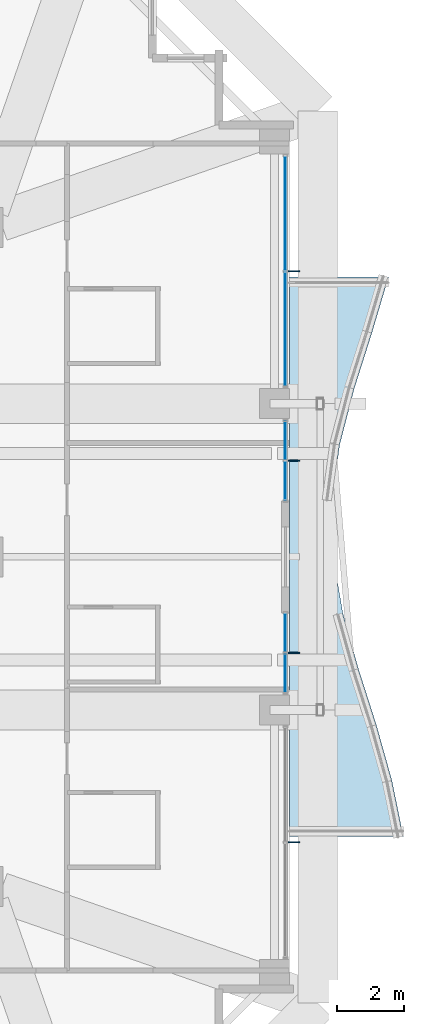
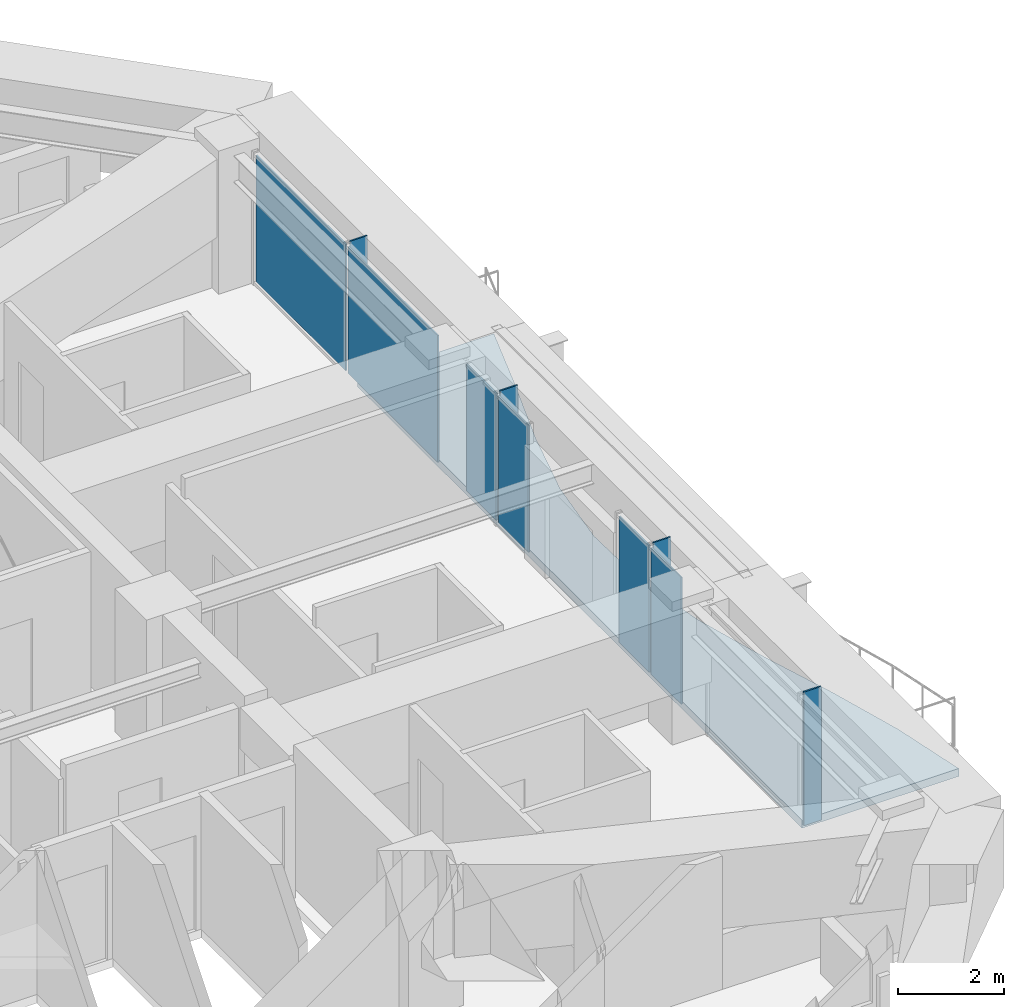
# One storey, part 32 of 40: 10 plates, 1 slab, 3 elements without a shape of their own.
"""IFC4 building model written with IfcOpenShell, lengths in metres."""

from ifc_helpers import new_model, si_unit, direction, frame, origin, origin_2d, place, context, subcontext, project, spatial, polyline, rectangle, outline, extrude, material, layer, layer_set, type_object, element, aggregate, save


model = new_model("IFC4")

# Units and contexts
model_context = context("Model", 3, precision=1e-05, world=origin(), true_north=direction((0.0, 1.0)))
body_context = subcontext(model_context, "Body", "Model", "MODEL_VIEW")
ifc_project = project(units=[si_unit("LENGTHUNIT", "METRE"), si_unit("AREAUNIT", "SQUARE_METRE"), si_unit("VOLUMEUNIT", "CUBIC_METRE"), si_unit("PLANEANGLEUNIT", "RADIAN"), si_unit("MASSUNIT", "GRAM", prefix="KILO")], contexts=[model_context])

# Site, building, storey
site_placement = place(None, origin())
site = spatial("IfcSite", under=ifc_project, at=site_placement, CompositionType="ELEMENT")
building_placement = place(site_placement, origin())
building = spatial("IfcBuilding", under=site, at=building_placement, Name="Kolvaren Belvedere", CompositionType="ELEMENT")
storey_placement = place(building_placement, frame((0.0, 0.0, 170.10009765625)))
storey = spatial("IfcBuildingStorey", under=building, at=storey_placement, Name="L49", CompositionType="ELEMENT", Elevation=170.10009765625)

# Curtain wall, plates
ifc_material_1 = material(Name="Anodised pale-metal aluminium AA 6063-T6", Category="aluminium")
curtain_wall_type = type_object("IfcCurtainWallType", Name="CW-Z3-WAIST", PredefinedType="NOTDEFINED", material=ifc_material_1)
curtain_wall_1_placement = place(storey_placement, origin())
curtain_wall_1 = element("IfcCurtainWall", 1, at=curtain_wall_1_placement, inside=storey, type_object=curtain_wall_type, Name="L49 Unitised Curtain Wall FCW-L49-E1-B1", PredefinedType="NOTDEFINED")
ifc_material_2 = material(Name="Low-iron triple insulated glass", Category="glass")
ifc_layer_1 = layer(ifc_material_2, 0.028076171875)
ifc_layer_set_1 = layer_set([ifc_layer_1], Name="Low-iron triple insulated glass")
plate_type_1 = type_object("IfcPlateType", Name="CW-PNL-VIS28", PredefinedType="CURTAIN_PANEL", material=ifc_layer_set_1)
plate_1_placement = place(storey_placement, frame((18.97998046875, 10.311279296875, 0.079833984375), z_axis=(0.0, 0.0, 1.0), x_axis=(0.0, -1.0, 0.0)))
plate_1 = element("IfcPlate", 2, at=plate_1_placement, type_object=plate_type_1, Name="FCW-L49-E1-B1 Vision Glazing Panel 1", PredefinedType="CURTAIN_PANEL", context=body_context, shape_type="SweptSolid", body=[
    extrude(rectangle(XDim=3.392578125, YDim=0.028076171875, at=origin_2d()), origin(), (0.0, 0.0, 1.0), 2.919921875),
])
plate_2_placement = place(storey_placement, frame((18.97998046875, 6.8388671875, 0.079833984375), z_axis=(0.0, 0.0, 1.0), x_axis=(0.0, -1.0, 0.0)))
plate_2 = element("IfcPlate", 3, at=plate_2_placement, type_object=plate_type_1, Name="FCW-L49-E1-B1 Vision Glazing Panel 2", PredefinedType="CURTAIN_PANEL", context=body_context, shape_type="SweptSolid", body=[
    extrude(rectangle(XDim=3.392578125, YDim=0.028076171875, at=origin_2d()), origin(), (0.0, 0.0, 1.0), 2.919921875),
])
aggregate(curtain_wall_1, [plate_1, plate_2])

curtain_wall_2_placement = place(storey_placement, origin())
curtain_wall_2 = element("IfcCurtainWall", 4, at=curtain_wall_2_placement, inside=storey, type_object=curtain_wall_type, Name="L49 Unitised Curtain Wall FCW-L49-E1-B2", PredefinedType="NOTDEFINED")
plate_3_placement = place(storey_placement, frame((18.97998046875, 3.4931640625, 0.079833984375), z_axis=(0.0, 0.0, 1.0), x_axis=(0.0, -1.0, 0.0)))
plate_3 = element("IfcPlate", 5, at=plate_3_placement, type_object=plate_type_1, Name="FCW-L49-E1-B2 Vision Glazing Panel 1", PredefinedType="CURTAIN_PANEL", context=body_context, shape_type="SweptSolid", body=[
    extrude(rectangle(XDim=1.12890625, YDim=0.028076171875, at=origin_2d()), origin(), (0.0, 0.0, 1.0), 2.919921875),
])
plate_4_placement = place(storey_placement, frame((18.97998046875, 2.284423828125, 0.079833984375), z_axis=(0.0, 0.0, 1.0), x_axis=(0.0, -1.0, 0.0)))
plate_4 = element("IfcPlate", 6, at=plate_4_placement, type_object=plate_type_1, Name="FCW-L49-E1-B2 Vision Glazing Panel 2", PredefinedType="CURTAIN_PANEL", context=body_context, shape_type="SweptSolid", body=[
    extrude(rectangle(XDim=1.12890625, YDim=0.028076171875, at=origin_2d()), origin(), (0.0, 0.0, 1.0), 2.919921875),
])
aggregate(curtain_wall_2, [plate_3, plate_4])

curtain_wall_3_placement = place(storey_placement, origin())
curtain_wall_3 = element("IfcCurtainWall", 7, at=curtain_wall_3_placement, inside=storey, type_object=curtain_wall_type, Name="L49 Unitised Curtain Wall FCW-L49-E2-B1", PredefinedType="NOTDEFINED")
plate_5_placement = place(storey_placement, frame((18.97998046875, -2.284423828125, 0.079833984375), z_axis=(0.0, 0.0, 1.0), x_axis=(0.0, -1.0, 0.0)))
plate_5 = element("IfcPlate", 8, at=plate_5_placement, type_object=plate_type_1, Name="FCW-L49-E2-B1 Vision Glazing Panel 1", PredefinedType="CURTAIN_PANEL", context=body_context, shape_type="SweptSolid", body=[
    extrude(rectangle(XDim=1.12890625, YDim=0.028076171875, at=origin_2d()), origin(), (0.0, 0.0, 1.0), 2.919921875),
])
plate_6_placement = place(storey_placement, frame((18.97998046875, -3.4931640625, 0.079833984375), z_axis=(0.0, 0.0, 1.0), x_axis=(0.0, -1.0, 0.0)))
plate_6 = element("IfcPlate", 9, at=plate_6_placement, type_object=plate_type_1, Name="FCW-L49-E2-B1 Vision Glazing Panel 2", PredefinedType="CURTAIN_PANEL", context=body_context, shape_type="SweptSolid", body=[
    extrude(rectangle(XDim=1.12890625, YDim=0.028076171875, at=origin_2d()), origin(), (0.0, 0.0, 1.0), 2.919921875),
])
aggregate(curtain_wall_3, [plate_5, plate_6])

# Plates
ifc_material_3 = material(Name="Anodised pale-metal aluminium AA 6063-T6", Category="aluminium")
ifc_layer_2 = layer(ifc_material_3, 0.033935546875)
ifc_layer_set_2 = layer_set([ifc_layer_2], Name="Anodised pale-metal aluminium AA 6063-T6")
plate_type_2 = type_object("IfcPlateType", Name="FIN-VERT-380", PredefinedType="USERDEFINED", material=ifc_layer_set_2)
for number, where, z_axis, x_axis, name in (
    (10, (19.219970703125, 8.574951171875, -0.000244140625), (0.0, 0.0, 1.0), (1.0, 0.0, 0.0), "L49 Pale-Metal Vertical Shading Fin FCW-L49-E1-B1-1"),
    (11, (19.219970703125, 2.888671875, -0.000244140625), (0.0, 0.0, 1.0), (1.0, 0.0, 0.0), "L49 Pale-Metal Vertical Shading Fin FCW-L49-E1-B2-1"),
    (12, (19.219970703125, -2.888671875, -0.000244140625), (0.0, 0.0, 1.0), (1.0, 0.0, 0.0), "L49 Pale-Metal Vertical Shading Fin FCW-L49-E2-B1-1"),
    (13, (19.219970703125, -8.574951171875, -0.000244140625), (0.0, 0.0, 1.0), (1.0, 0.0, 0.0), "L49 Pale-Metal Vertical Shading Fin FCW-L49-E2-B2-1"),
):
    element("IfcPlate", number, at=place(storey_placement, frame(where, z_axis=z_axis, x_axis=x_axis)), inside=storey, type_object=plate_type_2, Name=name, ObjectType="VERTICAL FIN", PredefinedType="USERDEFINED", context=body_context, shape_type="SweptSolid", body=[
        extrude(rectangle(XDim=0.3798828125, YDim=0.033935546875, at=origin_2d()), origin(), (0.0, 0.0, 1.0), 3.080078125),
    ])

# Slab
ifc_material_4 = material(Name="Concrete C50/60", Category="concrete")
ifc_layer_3 = layer(ifc_material_4, 0.179931640625)
ifc_layer_set_3 = layer_set([ifc_layer_3], Name="Concrete C50/60")
slab_type = type_object("IfcSlabType", Name="SL-BAL-180", PredefinedType="FLOOR", material=ifc_layer_set_3)
slab_placement = place(storey_placement, frame((0.0, 0.0, -0.2001953125)))
element("IfcSlab", 14, at=slab_placement, inside=storey, type_object=slab_type, Name="L49 Planted Balcony BAL-E", PredefinedType="FLOOR", context=body_context, shape_type="SweptSolid", body=[
    extrude(outline(polyline([(22.52001953125, -8.39990234375), (22.17919921875, -6.719970703125), (21.70849609375, -5.0400390625), (21.17138671875, -3.360107421875), (20.70068359375, -1.679931640625), (20.412841796875, 0.0), (20.379150390625, 1.679931640625), (20.60791015625, 3.360107421875), (21.04248046875, 5.0400390625), (21.575439453125, 6.719970703125), (22.07470703125, 8.39990234375), (19.10009765625, 8.39990234375), (19.10009765625, 6.719970703125), (19.10009765625, 5.0400390625), (19.10009765625, 3.360107421875), (19.10009765625, 1.679931640625), (19.10009765625, 0.0), (19.10009765625, -1.679931640625), (19.10009765625, -3.360107421875), (19.10009765625, -5.0400390625), (19.10009765625, -6.719970703125), (19.10009765625, -8.39990234375), (22.52001953125, -8.39990234375)])), origin(), (0.0, 0.0, 1.0), 0.18017578125),
])

save(model, "model.ifc")
